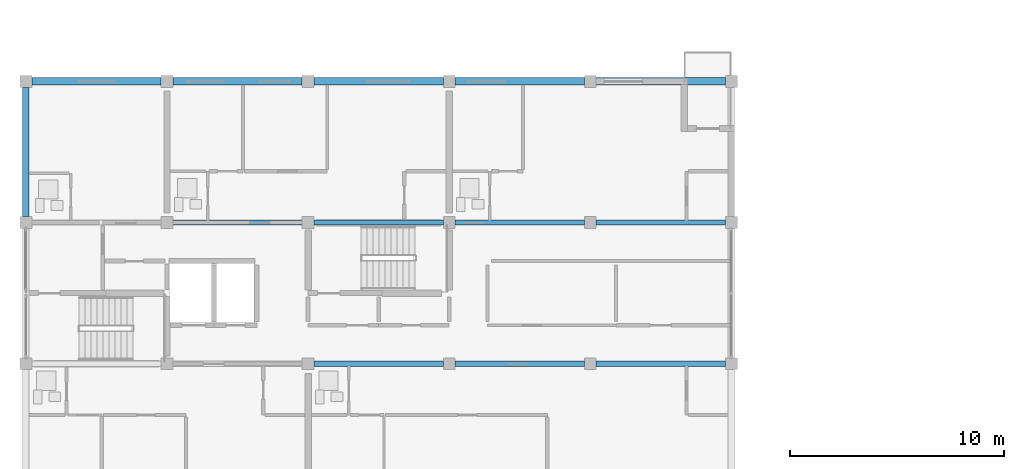
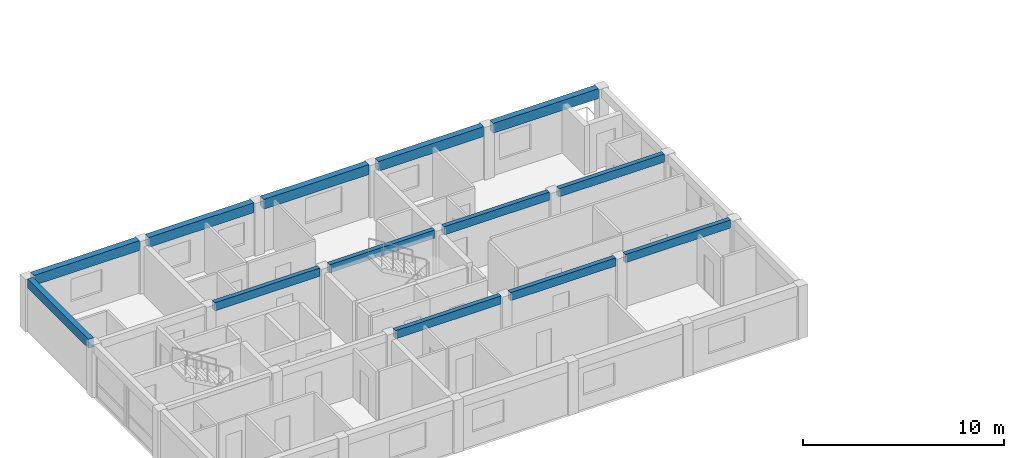
# One storey, part 17 of 45: 13 beams.
"""IFC4 building model written with IfcOpenShell, lengths in metres."""

from ifc_helpers import new_model, si_unit, direction, frame, origin, origin_2d, place, context, subcontext, project, spatial, rectangle, extrude, material, material_profile, profile_set, type_object, element, save


model = new_model("IFC4")

# Units and contexts
model_context = context("Model", 3, precision=1e-05, world=origin(), true_north=direction((0.0, 1.0)))
body_context = subcontext(model_context, "Body", "Model", "MODEL_VIEW")
ifc_project = project(units=[si_unit("LENGTHUNIT", "METRE"), si_unit("AREAUNIT", "SQUARE_METRE"), si_unit("VOLUMEUNIT", "CUBIC_METRE"), si_unit("PLANEANGLEUNIT", "RADIAN"), si_unit("MASSUNIT", "GRAM", prefix="KILO")], contexts=[model_context])

# Site, building, storey
site_placement = place(None, origin())
site = spatial("IfcSite", under=ifc_project, at=site_placement, CompositionType="ELEMENT")
building_placement = place(site_placement, origin())
building = spatial("IfcBuilding", under=site, at=building_placement, Name="Kernevlak Ridge Housing Community", CompositionType="ELEMENT")
storey_placement = place(building_placement, frame((0.0, 0.0, 14.800048828125)))
storey = spatial("IfcBuildingStorey", under=building, at=storey_placement, Name="L04", CompositionType="ELEMENT", Elevation=14.800048828125)

# Beams
ifc_material = material(Name="Concrete C35/45", Category="concrete")
ifc_material_profile_1 = material_profile(ifc_material, rectangle(XDim=0.25, YDim=0.5, at=origin_2d()), Name="RC 250x500")
ifc_profile_set_1 = profile_set([ifc_material_profile_1], Name="Concrete C35/45")
beam_type_1 = type_object("IfcBeamType", Name="B-06", PredefinedType="T_BEAM", material=ifc_profile_set_1)
for number, where, z_axis, x_axis, name in (
    (1, (29.074951171875, 82.60009765625, 2.949951171875), (1.0, 0.0, 0.0), (0.0, 1.0, 0.0), "Beam B-06 L04 168"),
    (2, (35.675048828125, 82.60009765625, 2.949951171875), (1.0, 0.0, 0.0), (0.0, 1.0, 0.0), "Beam B-06 L04 169"),
    (3, (42.27490234375, 82.60009765625, 2.949951171875), (1.0, 0.0, 0.0), (0.0, 1.0, 0.0), "Beam B-06 L04 170"),
):
    element("IfcBeam", number, at=place(storey_placement, frame(where, z_axis=z_axis, x_axis=x_axis)), inside=storey, type_object=beam_type_1, Name=name, PredefinedType="T_BEAM", context=body_context, shape_type="SweptSolid", body=[
        extrude(rectangle(XDim=0.25, YDim=0.5, at=origin_2d()), origin(), (0.0, 0.0, 1.0), 6.050048828125),
    ])
beam_1_placement = place(storey_placement, frame((22.47509765625, 89.199951171875, 2.949951171875), z_axis=(1.0, 0.0, 0.0), x_axis=(0.0, 1.0, 0.0)))
element("IfcBeam", 4, at=beam_1_placement, inside=storey, type_object=beam_type_1, Name="Beam B-06 L04 172", PredefinedType="T_BEAM", context=body_context, shape_type="SweptSolid", body=[
    extrude(rectangle(XDim=0.25, YDim=0.5, at=origin_2d()), origin(), (0.0, 0.0, 1.0), 6.0498046875),
])
for number, where, z_axis, x_axis, name in (
    (5, (29.074951171875, 89.199951171875, 2.949951171875), (1.0, 0.0, 0.0), (0.0, 1.0, 0.0), "Beam B-06 L04 173"),
    (6, (35.675048828125, 89.199951171875, 2.949951171875), (1.0, 0.0, 0.0), (0.0, 1.0, 0.0), "Beam B-06 L04 174"),
    (7, (42.27490234375, 89.199951171875, 2.949951171875), (1.0, 0.0, 0.0), (0.0, 1.0, 0.0), "Beam B-06 L04 175"),
):
    element("IfcBeam", number, at=place(storey_placement, frame(where, z_axis=z_axis, x_axis=x_axis)), inside=storey, type_object=beam_type_1, Name=name, PredefinedType="T_BEAM", context=body_context, shape_type="SweptSolid", body=[
        extrude(rectangle(XDim=0.25, YDim=0.5, at=origin_2d()), origin(), (0.0, 0.0, 1.0), 6.050048828125),
    ])
ifc_material_profile_2 = material_profile(ifc_material, rectangle(XDim=0.300048828125, YDim=0.550048828125, at=origin_2d()), Name="RC 300x550")
ifc_profile_set_2 = profile_set([ifc_material_profile_2], Name="Concrete C35/45")
beam_type_2 = type_object("IfcBeamType", Name="SP-01", PredefinedType="SPANDREL", material=ifc_profile_set_2)
beam_2_placement = place(storey_placement, frame((15.60009765625, 89.47509765625, 2.925048828125), z_axis=(0.0, 1.0, 0.0), x_axis=(-1.0, 0.0, 0.0)))
element("IfcBeam", 8, at=beam_2_placement, inside=storey, type_object=beam_type_2, Name="Beam SP-01 L04 183", PredefinedType="SPANDREL", context=body_context, shape_type="SweptSolid", body=[
    extrude(rectangle(XDim=0.300048828125, YDim=0.550048828125, at=origin_2d()), origin(), (0.0, 0.0, 1.0), 6.0498046875),
])
ifc_material_profile_3 = material_profile(ifc_material, rectangle(XDim=0.35009765625, YDim=0.60009765625, at=origin_2d()), Name="RC 350x600")
ifc_profile_set_3 = profile_set([ifc_material_profile_3], Name="Concrete C35/45")
beam_type_3 = type_object("IfcBeamType", Name="SP-03", PredefinedType="SPANDREL", material=ifc_profile_set_3)
beam_3_placement = place(storey_placement, frame((15.875, 95.800048828125, 2.89990234375), z_axis=(1.0, 0.0, 0.0), x_axis=(0.0, 1.0, 0.0)))
element("IfcBeam", 9, at=beam_3_placement, inside=storey, type_object=beam_type_3, Name="Beam SP-03 L04 176", PredefinedType="SPANDREL", context=body_context, shape_type="SweptSolid", body=[
    extrude(rectangle(XDim=0.35009765625, YDim=0.60009765625, at=origin_2d()), origin(), (0.0, 0.0, 1.0), 6.050048828125),
])
beam_4_placement = place(storey_placement, frame((22.47509765625, 95.800048828125, 2.89990234375), z_axis=(1.0, 0.0, 0.0), x_axis=(0.0, 1.0, 0.0)))
element("IfcBeam", 10, at=beam_4_placement, inside=storey, type_object=beam_type_3, Name="Beam SP-03 L04 177", PredefinedType="SPANDREL", context=body_context, shape_type="SweptSolid", body=[
    extrude(rectangle(XDim=0.35009765625, YDim=0.60009765625, at=origin_2d()), origin(), (0.0, 0.0, 1.0), 6.0498046875),
])
for number, where, z_axis, x_axis, name in (
    (11, (29.074951171875, 95.800048828125, 2.89990234375), (1.0, 0.0, 0.0), (0.0, 1.0, 0.0), "Beam SP-03 L04 178"),
    (12, (35.675048828125, 95.800048828125, 2.89990234375), (1.0, 0.0, 0.0), (0.0, 1.0, 0.0), "Beam SP-03 L04 179"),
    (13, (42.27490234375, 95.800048828125, 2.89990234375), (1.0, 0.0, 0.0), (0.0, 1.0, 0.0), "Beam SP-03 L04 180"),
):
    element("IfcBeam", number, at=place(storey_placement, frame(where, z_axis=z_axis, x_axis=x_axis)), inside=storey, type_object=beam_type_3, Name=name, PredefinedType="SPANDREL", context=body_context, shape_type="SweptSolid", body=[
        extrude(rectangle(XDim=0.35009765625, YDim=0.60009765625, at=origin_2d()), origin(), (0.0, 0.0, 1.0), 6.050048828125),
    ])

save(model, "model.ifc")
